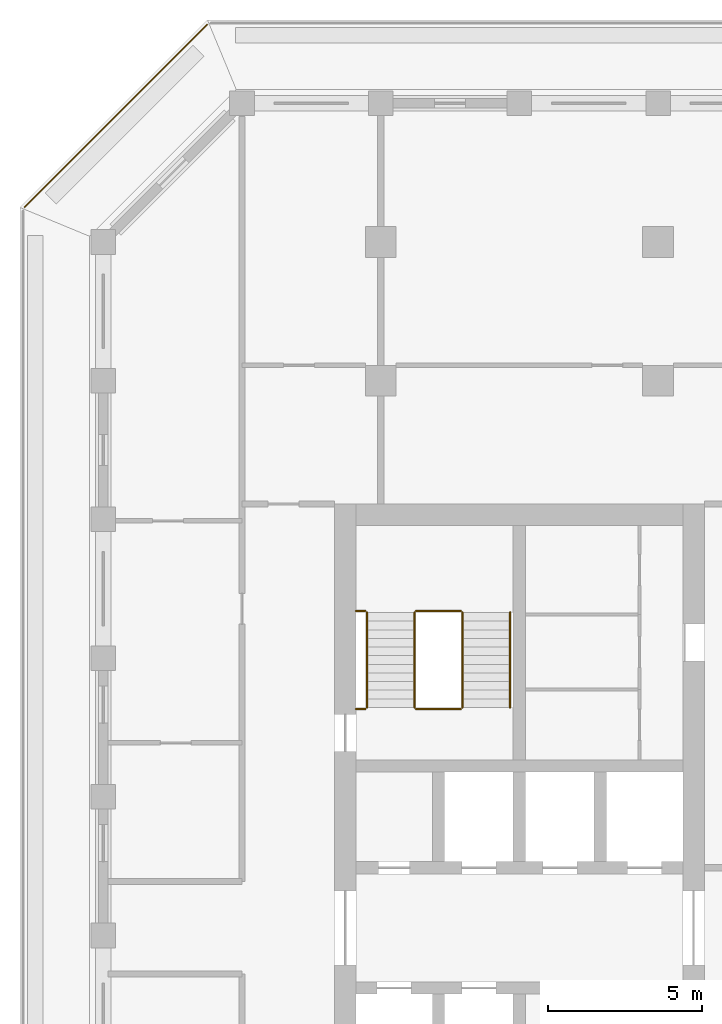
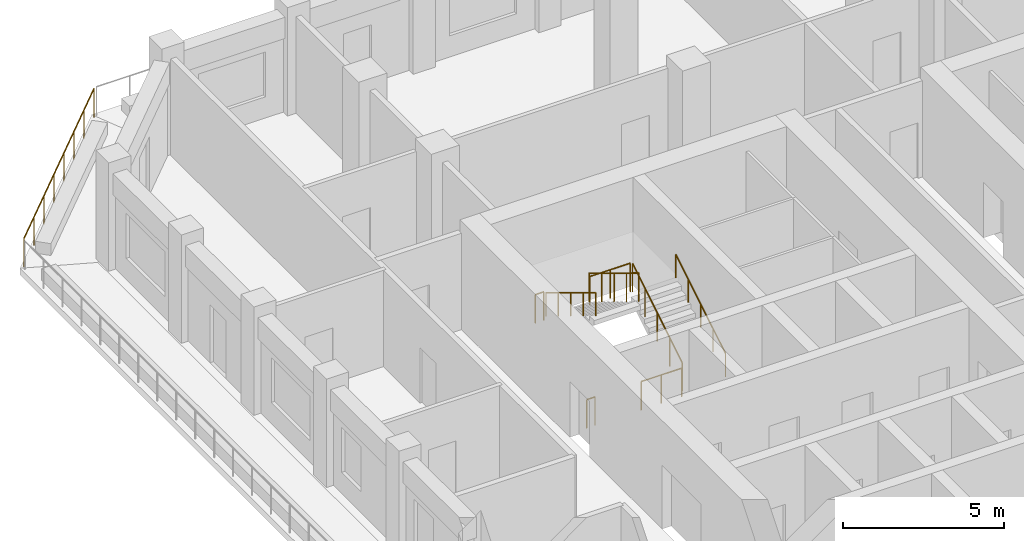
# One storey, part 14 of 17: 9 railings.
"""IFC4 building model written with IfcOpenShell, lengths in metres."""

from ifc_helpers import new_model, si_unit, direction, frame, origin, origin_2d, place, context, subcontext, project, spatial, circle, extrude, material, type_object, element, save


model = new_model("IFC4")

# Units and contexts
model_context = context("Model", 3, precision=1e-05, world=origin(), true_north=direction((0.0, 1.0)))
body_context = subcontext(model_context, "Body", "Model", "MODEL_VIEW")
ifc_project = project(units=[si_unit("LENGTHUNIT", "METRE"), si_unit("AREAUNIT", "SQUARE_METRE"), si_unit("VOLUMEUNIT", "CUBIC_METRE"), si_unit("PLANEANGLEUNIT", "RADIAN"), si_unit("MASSUNIT", "GRAM", prefix="KILO")], contexts=[model_context])

# Site, building, storey
site_placement = place(None, origin())
site = spatial("IfcSite", under=ifc_project, at=site_placement, CompositionType="ELEMENT")
building_placement = place(site_placement, origin())
building = spatial("IfcBuilding", under=site, at=building_placement, Name="Corbel Stack Research Tower", CompositionType="ELEMENT")
storey_placement = place(building_placement, frame((0.0, 0.0, 252.10009765625)))
storey = spatial("IfcBuildingStorey", under=building, at=storey_placement, Name="L57", CompositionType="ELEMENT", Elevation=252.10009765625)

# Railings
ifc_material_1 = material(Name="Steel S355", Category="steel")
railing_type_1 = type_object("IfcRailingType", Name="Stair guard 1100", PredefinedType="GUARDRAIL", material=ifc_material_1)
railing_1_placement = place(storey_placement, frame((-6.35009765625, 11.89990234375, 0.170654296875)))
element("IfcRailing", 1, at=railing_1_placement, inside=storey, type_object=railing_type_1, Name="L57 ST-W2 stair guard 1", PredefinedType="GUARDRAIL", context=body_context, shape_type="SweptSolid", body=[
    extrude(circle(Radius=0.02392578125, at=origin_2d()), frame((0.0, 0.0, 1.076171875), z_axis=(0.0, 0.853666305674, 0.52082035152), x_axis=(-1.0, 0.0, 0.0)), (0.0, 0.0, 1.0), 3.608154296875),
    extrude(circle(Radius=0.02099609375, at=origin_2d()), origin(), (0.0, 0.0, 1.0), 1.052001953125),
    extrude(circle(Radius=0.02099609375, at=origin_2d()), frame((0.0, 0.77001953125, 0.4697265625)), (0.0, 0.0, 1.0), 1.052001953125),
    extrude(circle(Radius=0.02099609375, at=origin_2d()), frame((0.0, 1.5400390625, 0.939453125)), (0.0, 0.0, 1.0), 1.052001953125),
    extrude(circle(Radius=0.02099609375, at=origin_2d()), frame((0.0, 2.31005859375, 1.409423828125)), (0.0, 0.0, 1.0), 1.052001953125),
    extrude(circle(Radius=0.02099609375, at=origin_2d()), frame((0.0, 3.080078125, 1.879150390625)), (0.0, 0.0, 1.0), 1.052001953125),
])
railing_2_placement = place(storey_placement, frame((-6.39990234375, 15.030029296875, 2.0498046875)))
element("IfcRailing", 2, at=railing_2_placement, inside=storey, type_object=railing_type_1, Name="L57 ST-W2 stair guard 2", PredefinedType="GUARDRAIL", context=body_context, shape_type="SweptSolid", body=[
    extrude(circle(Radius=0.02392578125, at=origin_2d()), frame((0.0, 0.0, 1.076171875), z_axis=(-1.0, 0.0, 0.0), x_axis=(0.0, -1.0, 0.0)), (0.0, 0.0, 1.0), 1.4501953125),
    extrude(circle(Radius=0.02099609375, at=origin_2d()), origin(), (0.0, 0.0, 1.0), 1.052001953125),
    extrude(circle(Radius=0.02099609375, at=origin_2d()), frame((-0.72509765625, 0.0, 0.0)), (0.0, 0.0, 1.0), 1.052001953125),
    extrude(circle(Radius=0.02099609375, at=origin_2d()), frame((-1.4501953125, 0.0, 0.0)), (0.0, 0.0, 1.0), 1.052001953125),
])
railing_3_placement = place(storey_placement, frame((-9.5, 15.030029296875, 2.0498046875)))
element("IfcRailing", 3, at=railing_3_placement, inside=storey, type_object=railing_type_1, Name="L57 ST-W2 stair guard 3", PredefinedType="GUARDRAIL", context=body_context, shape_type="SweptSolid", body=[
    extrude(circle(Radius=0.02392578125, at=origin_2d()), frame((0.0, 0.0, 1.076171875), z_axis=(-1.0, 0.0, 0.0), x_axis=(0.0, -1.0, 0.0)), (0.0, 0.0, 1.0), 0.300048828125),
    extrude(circle(Radius=0.02099609375, at=origin_2d()), origin(), (0.0, 0.0, 1.0), 1.052001953125),
    extrude(circle(Radius=0.02099609375, at=origin_2d()), frame((-0.300048828125, 0.0, 0.0)), (0.0, 0.0, 1.0), 1.052001953125),
])
railing_4_placement = place(storey_placement, frame((-7.89990234375, 14.97998046875, 2.220703125)))
element("IfcRailing", 4, at=railing_4_placement, inside=storey, type_object=railing_type_1, Name="L57 ST-W2 stair guard 4", PredefinedType="GUARDRAIL", context=body_context, shape_type="SweptSolid", body=[
    extrude(circle(Radius=0.02392578125, at=origin_2d()), frame((0.0, 0.0, 1.076171875), z_axis=(0.0, -0.853666305674, 0.52082035152), x_axis=(1.0, 0.0, 0.0)), (0.0, 0.0, 1.0), 3.608154296875),
    extrude(circle(Radius=0.02099609375, at=origin_2d()), origin(), (0.0, 0.0, 1.0), 1.052001953125),
    extrude(circle(Radius=0.02099609375, at=origin_2d()), frame((0.0, -0.77001953125, 0.4697265625)), (0.0, 0.0, 1.0), 1.052001953125),
    extrude(circle(Radius=0.02099609375, at=origin_2d()), frame((0.0, -1.5400390625, 0.939453125)), (0.0, 0.0, 1.0), 1.052001953125),
    extrude(circle(Radius=0.02099609375, at=origin_2d()), frame((0.0, -2.31005859375, 1.409423828125)), (0.0, 0.0, 1.0), 1.052001953125),
    extrude(circle(Radius=0.02099609375, at=origin_2d()), frame((0.0, -3.080078125, 1.879150390625)), (0.0, 0.0, 1.0), 1.052001953125),
])
railing_5_placement = place(storey_placement, frame((-6.39990234375, 11.85009765625, 0.0)))
element("IfcRailing", 5, at=railing_5_placement, inside=storey, type_object=railing_type_1, Name="L57 ST-W2 stair guard 5", PredefinedType="GUARDRAIL", context=body_context, shape_type="SweptSolid", body=[
    extrude(circle(Radius=0.02392578125, at=origin_2d()), frame((0.0, 0.0, 1.076171875), z_axis=(-1.0, 0.0, 0.0), x_axis=(0.0, -1.0, 0.0)), (0.0, 0.0, 1.0), 1.4501953125),
    extrude(circle(Radius=0.02099609375, at=origin_2d()), origin(), (0.0, 0.0, 1.0), 1.052001953125),
    extrude(circle(Radius=0.02099609375, at=origin_2d()), frame((-0.72509765625, 0.0, 0.0)), (0.0, 0.0, 1.0), 1.052001953125),
    extrude(circle(Radius=0.02099609375, at=origin_2d()), frame((-1.4501953125, 0.0, 0.0)), (0.0, 0.0, 1.0), 1.052001953125),
])
railing_6_placement = place(storey_placement, frame((-9.5, 11.85009765625, 0.0)))
element("IfcRailing", 6, at=railing_6_placement, inside=storey, type_object=railing_type_1, Name="L57 ST-W2 stair guard 6", PredefinedType="GUARDRAIL", context=body_context, shape_type="SweptSolid", body=[
    extrude(circle(Radius=0.02392578125, at=origin_2d()), frame((0.0, 0.0, 1.076171875), z_axis=(-1.0, 0.0, 0.0), x_axis=(0.0, -1.0, 0.0)), (0.0, 0.0, 1.0), 0.300048828125),
    extrude(circle(Radius=0.02099609375, at=origin_2d()), origin(), (0.0, 0.0, 1.0), 1.052001953125),
    extrude(circle(Radius=0.02099609375, at=origin_2d()), frame((-0.300048828125, 0.0, 0.0)), (0.0, 0.0, 1.0), 1.052001953125),
])
ifc_material_2 = material(Name="Steel S355", Category="steel")
railing_type_2 = type_object("IfcRailingType", Name="Stair handrail 900", PredefinedType="HANDRAIL", material=ifc_material_2)
railing_7_placement = place(storey_placement, frame((-4.800048828125, 11.89990234375, 0.170654296875)))
element("IfcRailing", 7, at=railing_7_placement, inside=storey, type_object=railing_type_2, Name="L57 ST-W2 stair handrail 1", PredefinedType="HANDRAIL", context=body_context, shape_type="SweptSolid", body=[
    extrude(circle(Radius=0.02392578125, at=origin_2d()), frame((0.0, 0.0, 0.8759765625), z_axis=(0.0, 0.853666305674, 0.52082035152), x_axis=(-1.0, 0.0, 0.0)), (0.0, 0.0, 1.0), 3.608154296875),
    extrude(circle(Radius=0.02099609375, at=origin_2d()), origin(), (0.0, 0.0, 1.0), 0.851806640625),
    extrude(circle(Radius=0.02099609375, at=origin_2d()), frame((0.0, 0.77001953125, 0.4697265625)), (0.0, 0.0, 1.0), 0.851806640625),
    extrude(circle(Radius=0.02099609375, at=origin_2d()), frame((0.0, 1.5400390625, 0.939453125)), (0.0, 0.0, 1.0), 0.851806640625),
    extrude(circle(Radius=0.02099609375, at=origin_2d()), frame((0.0, 2.31005859375, 1.409423828125)), (0.0, 0.0, 1.0), 0.851806640625),
    extrude(circle(Radius=0.02099609375, at=origin_2d()), frame((0.0, 3.080078125, 1.879150390625)), (0.0, 0.0, 1.0), 0.851806640625),
])
railing_8_placement = place(storey_placement, frame((-9.449951171875, 14.97998046875, 2.220703125)))
element("IfcRailing", 8, at=railing_8_placement, inside=storey, type_object=railing_type_2, Name="L57 ST-W2 stair handrail 2", PredefinedType="HANDRAIL", context=body_context, shape_type="SweptSolid", body=[
    extrude(circle(Radius=0.02392578125, at=origin_2d()), frame((0.0, 0.0, 0.8759765625), z_axis=(0.0, -0.853666305674, 0.52082035152), x_axis=(1.0, 0.0, 0.0)), (0.0, 0.0, 1.0), 3.608154296875),
    extrude(circle(Radius=0.02099609375, at=origin_2d()), origin(), (0.0, 0.0, 1.0), 0.851806640625),
    extrude(circle(Radius=0.02099609375, at=origin_2d()), frame((0.0, -0.77001953125, 0.4697265625)), (0.0, 0.0, 1.0), 0.851806640625),
    extrude(circle(Radius=0.02099609375, at=origin_2d()), frame((0.0, -1.5400390625, 0.939453125)), (0.0, 0.0, 1.0), 0.851806640625),
    extrude(circle(Radius=0.02099609375, at=origin_2d()), frame((0.0, -2.31005859375, 1.409423828125)), (0.0, 0.0, 1.0), 0.851806640625),
    extrude(circle(Radius=0.02099609375, at=origin_2d()), frame((0.0, -3.080078125, 1.879150390625)), (0.0, 0.0, 1.0), 0.851806640625),
])
ifc_material_3 = material(Name="Powder-coated steel guard", Category="steel")
railing_type_3 = type_object("IfcRailingType", Name="Steel and glass guard 1100", PredefinedType="GUARDRAIL", material=ifc_material_3)
railing_9_placement = place(storey_placement, frame((-14.627685546875, 34.04931640625, 0.0)))
element("IfcRailing", 9, at=railing_9_placement, inside=storey, type_object=railing_type_3, Name="Loggia guard L57 NW", PredefinedType="GUARDRAIL", context=body_context, shape_type="SweptSolid", body=[
    extrude(circle(Radius=0.02392578125, at=origin_2d()), frame((0.0, 0.0, 1.076171875), z_axis=(-0.707106781187, -0.707106781187, 0.0), x_axis=(0.707106781187, -0.707106781187, 0.0)), (0.0, 0.0, 1.0), 8.37451171875),
    extrude(circle(Radius=0.02099609375, at=origin_2d()), origin(), (0.0, 0.0, 1.0), 1.052001953125),
    extrude(circle(Radius=0.02099609375, at=origin_2d()), frame((-0.845947265625, -0.845947265625, 0.0)), (0.0, 0.0, 1.0), 1.052001953125),
    extrude(circle(Radius=0.02099609375, at=origin_2d()), frame((-1.69189453125, -1.69189453125, 0.0)), (0.0, 0.0, 1.0), 1.052001953125),
    extrude(circle(Radius=0.02099609375, at=origin_2d()), frame((-2.537841796875, -2.537841796875, 0.0)), (0.0, 0.0, 1.0), 1.052001953125),
    extrude(circle(Radius=0.02099609375, at=origin_2d()), frame((-3.3837890625, -3.3837890625, 0.0)), (0.0, 0.0, 1.0), 1.052001953125),
    extrude(circle(Radius=0.02099609375, at=origin_2d()), frame((-4.229736328125, -4.229736328125, 0.0)), (0.0, 0.0, 1.0), 1.052001953125),
    extrude(circle(Radius=0.02099609375, at=origin_2d()), frame((-5.07568359375, -5.07568359375, 0.0)), (0.0, 0.0, 1.0), 1.052001953125),
    extrude(circle(Radius=0.02099609375, at=origin_2d()), frame((-5.921630859375, -5.921630859375, 0.0)), (0.0, 0.0, 1.0), 1.052001953125),
])

save(model, "model.ifc")
